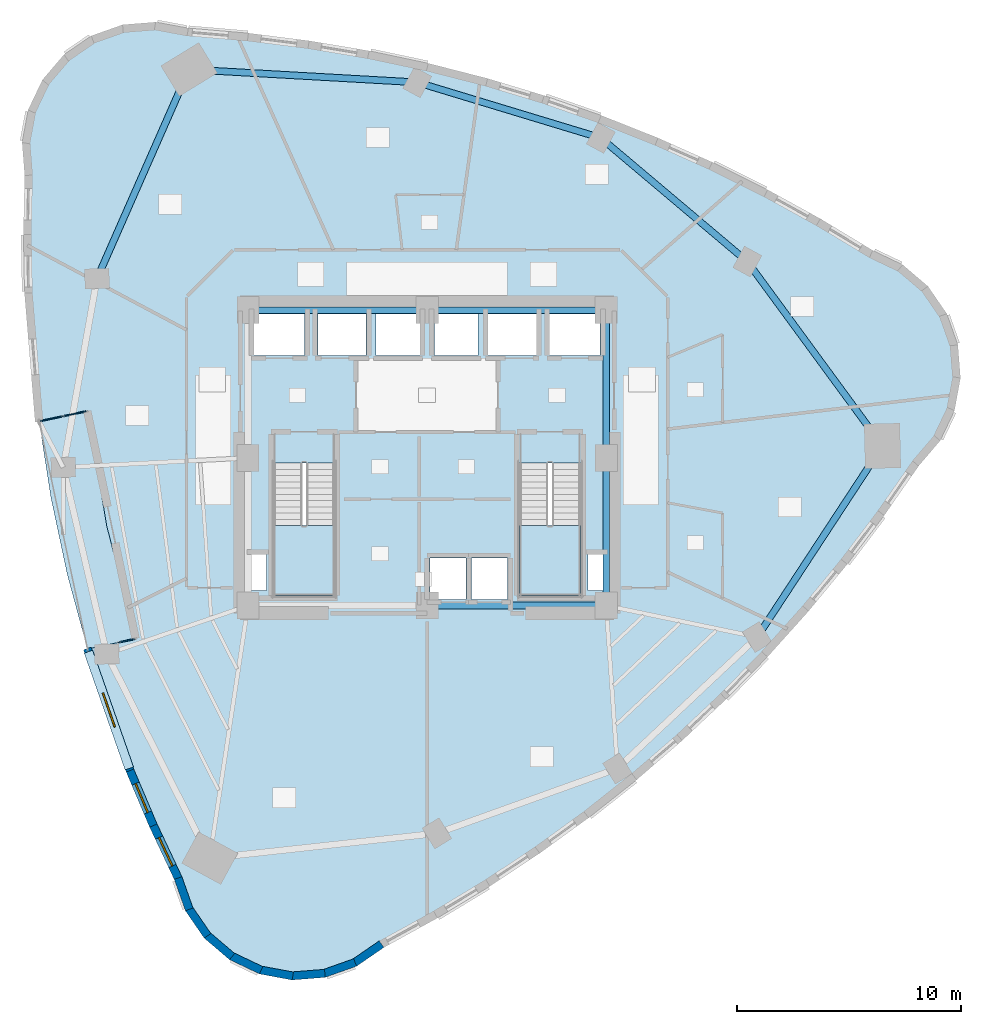
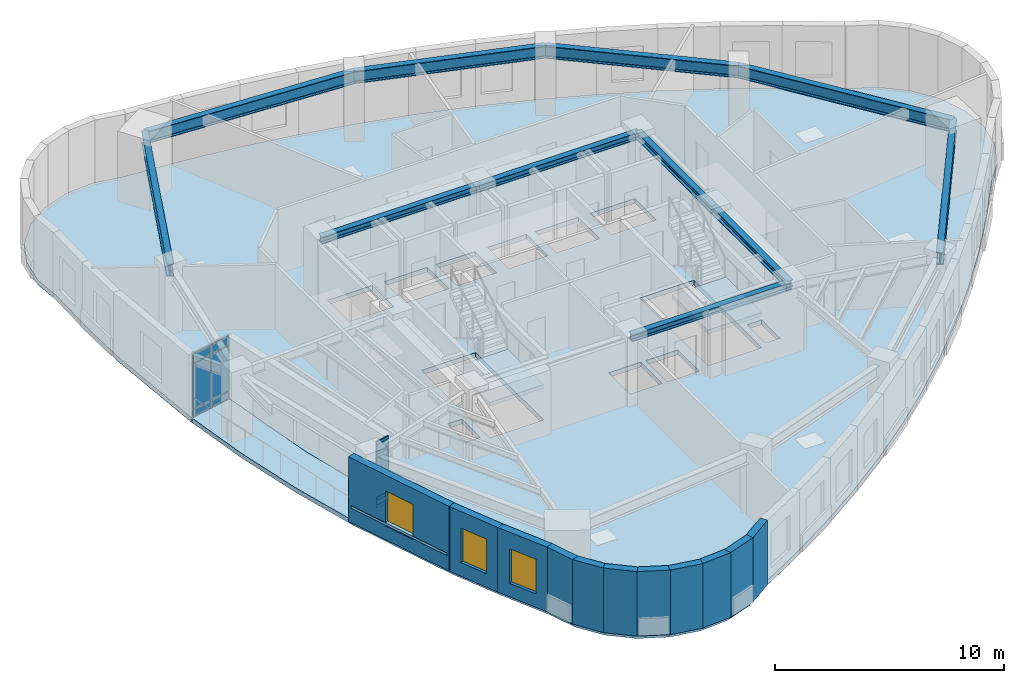
# One storey, part 5 of 12: 11 beams, 11 walls, 10 plates, 4 members, 4 slabs, 3 windows, 3 openings, 4 elements without a shape of their own.
"""IFC4 building model written with IfcOpenShell, lengths in metres."""

from ifc_helpers import new_model, si_unit, direction, frame, frame_2d, origin, origin_2d, place, context, subcontext, project, spatial, polyline, rectangle, hollow_rectangle, i_section, outline, extrude, material, layer, layer_set, material_profile, profile_set, type_object, element, fill, aggregate, save


model = new_model("IFC4")

# Units and contexts
model_context = context("Model", 3, precision=1e-05, world=origin(), true_north=direction((0.0, 1.0)))
body_context = subcontext(model_context, "Body", "Model", "MODEL_VIEW")
ifc_project = project(units=[si_unit("LENGTHUNIT", "METRE"), si_unit("AREAUNIT", "SQUARE_METRE"), si_unit("VOLUMEUNIT", "CUBIC_METRE"), si_unit("PLANEANGLEUNIT", "RADIAN"), si_unit("MASSUNIT", "GRAM", prefix="KILO")], contexts=[model_context])

# Site, building, storey
site_placement = place(None, origin())
site = spatial("IfcSite", under=ifc_project, at=site_placement, CompositionType="ELEMENT")
building_placement = place(site_placement, origin())
building = spatial("IfcBuilding", under=site, at=building_placement, Name="Ndelora Gate Hotel", CompositionType="ELEMENT")
storey_placement = place(building_placement, frame((0.0, 0.0, 164.75)))
storey = spatial("IfcBuildingStorey", under=building, at=storey_placement, Name="L41", CompositionType="ELEMENT", Elevation=164.75)

# Beams
ifc_material_1 = material(Name="Steel S355", Category="steel")
ifc_material_profile_1 = material_profile(ifc_material_1, i_section(OverallWidth=0.300048828125, OverallDepth=0.360107421875, WebThickness=0.012451171875, FlangeThickness=0.0224609375, FilletRadius=0.027099609375, at=origin_2d()), Name="HEB 360")
ifc_profile_set_1 = profile_set([ifc_material_profile_1], Name="Steel S355")
beam_type_1 = type_object("IfcBeamType", Name="BM-CORE-360", PredefinedType="BEAM", material=ifc_profile_set_1)
for number, where, z_axis, x_axis, name in (
    (1, (-8.0, 6.60009765625, 3.260009765625), (1.0, 0.0, 0.0), (0.0, 1.0, 0.0), "L41 Core Tie Girder CC7-CC6"),
    (2, (0.0, 6.60009765625, 3.260009765625), (1.0, 0.0, 0.0), (0.0, 1.0, 0.0), "L41 Core Tie Girder CC6-CC5"),
):
    element("IfcBeam", number, at=place(storey_placement, frame(where, z_axis=z_axis, x_axis=x_axis)), inside=storey, type_object=beam_type_1, Name=name, PredefinedType="BEAM", context=body_context, shape_type="SweptSolid", body=[
        extrude(i_section(OverallWidth=0.300048828125, OverallDepth=0.360107421875, WebThickness=0.012451171875, FlangeThickness=0.0224609375, FilletRadius=0.027099609375, at=origin_2d()), origin(), (0.0, 0.0, 1.0), 8.0),
    ])
for number, where, z_axis, x_axis, name in (
    (3, (8.0, -6.60009765625, 3.260009765625), (0.0, 1.0, 0.0), (-1.0, 0.0, 0.0), "L41 Core Tie Girder CC3-CC4"),
    (4, (8.0, 0.0, 3.260009765625), (0.0, 1.0, 0.0), (-1.0, 0.0, 0.0), "L41 Core Tie Girder CC4-CC5"),
):
    element("IfcBeam", number, at=place(storey_placement, frame(where, z_axis=z_axis, x_axis=x_axis)), inside=storey, type_object=beam_type_1, Name=name, PredefinedType="BEAM", context=body_context, shape_type="SweptSolid", body=[
        extrude(i_section(OverallWidth=0.300048828125, OverallDepth=0.360107421875, WebThickness=0.012451171875, FlangeThickness=0.0224609375, FilletRadius=0.027099609375, at=origin_2d()), origin(), (0.0, 0.0, 1.0), 6.60009765625),
    ])
beam_1_placement = place(storey_placement, frame((0.0, -6.60009765625, 3.260009765625), z_axis=(1.0, 0.0, 0.0), x_axis=(0.0, 1.0, 0.0)))
element("IfcBeam", 5, at=beam_1_placement, inside=storey, type_object=beam_type_1, Name="L41 Core Tie Girder CC2-CC3", PredefinedType="BEAM", context=body_context, shape_type="SweptSolid", body=[
    extrude(i_section(OverallWidth=0.300048828125, OverallDepth=0.360107421875, WebThickness=0.012451171875, FlangeThickness=0.0224609375, FilletRadius=0.027099609375, at=origin_2d()), origin(), (0.0, 0.0, 1.0), 8.0),
])
ifc_material_profile_2 = material_profile(ifc_material_1, i_section(OverallWidth=0.300048828125, OverallDepth=0.64990234375, WebThickness=0.01611328125, FlangeThickness=0.031005859375, FilletRadius=0.027099609375, at=origin_2d()), Name="HEB 650")
ifc_profile_set_2 = profile_set([ifc_material_profile_2], Name="Steel S355")
beam_type_2 = type_object("IfcBeamType", Name="BM-RING-650", PredefinedType="SPANDREL", material=ifc_profile_set_2)
beam_2_placement = place(storey_placement, frame((-10.63330078125, 17.351806640625, 3.114990234375), z_axis=(-0.402852396707, -0.915264959707, 0.0), x_axis=(0.915264959707, -0.402852396707, 0.0)))
element("IfcBeam", 6, at=beam_2_placement, inside=storey, type_object=beam_type_2, Name="L41 Perimeter Spandrel Girder 1", PredefinedType="SPANDREL", context=body_context, shape_type="SweptSolid", body=[
    extrude(i_section(OverallWidth=0.300048828125, OverallDepth=0.64990234375, WebThickness=0.01611328125, FlangeThickness=0.031005859375, FilletRadius=0.027099609375, at=origin_2d()), origin(), (0.0, 0.0, 1.0), 10.21044921875),
])
for number, where, z_axis, x_axis, name in (
    (7, (14.74658203125, -8.006591796875, 3.114990234375), (0.548194123818, 0.836351123998, 0.0), (-0.836351123998, 0.548194123818, 0.0), "L41 Perimeter Spandrel Girder 8"),
    (8, (20.34375, 0.53271484375, 3.114990234375), (-0.591229932094, 0.806503048597, 0.0), (-0.806503048597, -0.591229932094, 0.0), "L41 Perimeter Spandrel Girder 9"),
):
    element("IfcBeam", number, at=place(storey_placement, frame(where, z_axis=z_axis, x_axis=x_axis)), inside=storey, type_object=beam_type_2, Name=name, PredefinedType="SPANDREL", context=body_context, shape_type="SweptSolid", body=[
        extrude(i_section(OverallWidth=0.300048828125, OverallDepth=0.64990234375, WebThickness=0.01611328125, FlangeThickness=0.031005859375, FilletRadius=0.027099609375, at=origin_2d()), origin(), (0.0, 0.0, 1.0), 10.210205078125),
    ])
beam_3_placement = place(storey_placement, frame((14.30712890625, 8.767333984375, 3.114990234375), z_axis=(-0.76440691948, 0.644734101356, 0.0), x_axis=(-0.644734101356, -0.76440691948, 0.0)))
element("IfcBeam", 9, at=beam_3_placement, inside=storey, type_object=beam_type_2, Name="L41 Perimeter Spandrel Girder 10", PredefinedType="SPANDREL", context=body_context, shape_type="SweptSolid", body=[
    extrude(i_section(OverallWidth=0.300048828125, OverallDepth=0.64990234375, WebThickness=0.01611328125, FlangeThickness=0.031005859375, FilletRadius=0.027099609375, at=origin_2d()), origin(), (0.0, 0.0, 1.0), 8.566162109375),
])
beam_4_placement = place(storey_placement, frame((7.759033203125, 14.290283203125, 3.114990234375), z_axis=(-0.957030396662, 0.289987620192, 0.0), x_axis=(-0.289987620192, -0.957030396662, 0.0)))
element("IfcBeam", 10, at=beam_4_placement, inside=storey, type_object=beam_type_2, Name="L41 Perimeter Spandrel Girder 11", PredefinedType="SPANDREL", context=body_context, shape_type="SweptSolid", body=[
    extrude(i_section(OverallWidth=0.300048828125, OverallDepth=0.64990234375, WebThickness=0.01611328125, FlangeThickness=0.031005859375, FilletRadius=0.027099609375, at=origin_2d()), origin(), (0.0, 0.0, 1.0), 8.56640625),
])
beam_5_placement = place(storey_placement, frame((-0.439208984375, 16.7744140625, 3.114990234375), z_axis=(-0.998399808671, 0.056549288648, 0.0), x_axis=(-0.056549288648, -0.998399808671, 0.0)))
element("IfcBeam", 11, at=beam_5_placement, inside=storey, type_object=beam_type_2, Name="L41 Perimeter Spandrel Girder 12", PredefinedType="SPANDREL", context=body_context, shape_type="SweptSolid", body=[
    extrude(i_section(OverallWidth=0.300048828125, OverallDepth=0.64990234375, WebThickness=0.01611328125, FlangeThickness=0.031005859375, FilletRadius=0.027099609375, at=origin_2d()), origin(), (0.0, 0.0, 1.0), 10.21044921875),
])

# Curtain wall, members
ifc_material_2 = material(Name="Bronze Anodised Unitised Aluminium and Low-E Glass", Category="aluminium")
ifc_layer_1 = layer(ifc_material_2, 0.199951171875)
ifc_layer_set_1 = layer_set([ifc_layer_1], Name="Bronze Anodised Unitised Aluminium and Low-E Glass")
curtain_wall_type = type_object("IfcCurtainWallType", Name="CW-SYS-3", PredefinedType="NOTDEFINED", material=ifc_layer_set_1)
curtain_wall_1_placement = place(storey_placement, origin())
curtain_wall_1 = element("IfcCurtainWall", 12, at=curtain_wall_1_placement, inside=storey, type_object=curtain_wall_type, Name="L41 Sky-Garden Loggia Side Curtain Wall CW3-2", PredefinedType="NOTDEFINED")
ifc_material_3 = material(Name="Bronze Anodised Aluminium 6063-T6", Category="aluminium")
ifc_material_profile_3 = material_profile(ifc_material_3, hollow_rectangle(XDim=0.06494140625, YDim=0.159912109375, WallThickness=0.00390625, InnerFilletRadius=0.00390625, OuterFilletRadius=0.008056640625, at=origin_2d()), Name="ALU 160x65x4")
ifc_profile_set_3 = profile_set([ifc_material_profile_3], Name="Bronze Anodised Aluminium 6063-T6")
member_type = type_object("IfcMemberType", Name="MB-CW-TRN150", PredefinedType="USERDEFINED", material=ifc_profile_set_3)
member_1_placement = place(storey_placement, frame((-13.748779296875, -8.238525390625, 0.032470703125), z_axis=(0.978129020881, 0.207999082957, 0.0), x_axis=(-0.207999082957, 0.978129020881, 0.0)))
member_1 = element("IfcMember", 13, at=member_1_placement, type_object=member_type, Name="CW3 transom 1.1", ObjectType="TRANSOM", PredefinedType="USERDEFINED", context=body_context, shape_type="SweptSolid", body=[
    extrude(hollow_rectangle(XDim=0.06494140625, YDim=0.159912109375, WallThickness=0.00390625, InnerFilletRadius=0.00390625, OuterFilletRadius=0.008056640625, at=origin_2d()), origin(), (0.0, 0.0, 1.0), 0.686767578125),
])
member_2_placement = place(storey_placement, frame((-13.748779296875, -8.238525390625, 0.449951171875), z_axis=(0.978129020881, 0.207999082957, 0.0), x_axis=(-0.207999082957, 0.978129020881, 0.0)))
member_2 = element("IfcMember", 14, at=member_2_placement, type_object=member_type, Name="CW3 transom 1.2", ObjectType="TRANSOM", PredefinedType="USERDEFINED", context=body_context, shape_type="SweptSolid", body=[
    extrude(hollow_rectangle(XDim=0.06494140625, YDim=0.159912109375, WallThickness=0.00390625, InnerFilletRadius=0.00390625, OuterFilletRadius=0.008056640625, at=origin_2d()), origin(), (0.0, 0.0, 1.0), 0.686767578125),
])
member_3_placement = place(storey_placement, frame((-13.748779296875, -8.238525390625, 2.889892578125), z_axis=(0.978129020881, 0.207999082957, 0.0), x_axis=(-0.207999082957, 0.978129020881, 0.0)))
member_3 = element("IfcMember", 15, at=member_3_placement, type_object=member_type, Name="CW3 transom 1.3", ObjectType="TRANSOM", PredefinedType="USERDEFINED", context=body_context, shape_type="SweptSolid", body=[
    extrude(hollow_rectangle(XDim=0.06494140625, YDim=0.159912109375, WallThickness=0.00390625, InnerFilletRadius=0.00390625, OuterFilletRadius=0.008056640625, at=origin_2d()), origin(), (0.0, 0.0, 1.0), 0.686767578125),
])
member_4_placement = place(storey_placement, frame((-13.748779296875, -8.238525390625, 3.407470703125), z_axis=(0.978129020881, 0.207999082957, 0.0), x_axis=(-0.207999082957, 0.978129020881, 0.0)))
member_4 = element("IfcMember", 16, at=member_4_placement, type_object=member_type, Name="CW3 transom 1.4", ObjectType="TRANSOM", PredefinedType="USERDEFINED", context=body_context, shape_type="SweptSolid", body=[
    extrude(hollow_rectangle(XDim=0.06494140625, YDim=0.159912109375, WallThickness=0.00390625, InnerFilletRadius=0.00390625, OuterFilletRadius=0.008056640625, at=origin_2d()), origin(), (0.0, 0.0, 1.0), 0.686767578125),
])

# Curtain wall, plates
curtain_wall_2_placement = place(storey_placement, origin())
curtain_wall_2 = element("IfcCurtainWall", 17, at=curtain_wall_2_placement, inside=storey, type_object=curtain_wall_type, Name="L41 Sky-Garden Loggia Side Curtain Wall CW3-1", PredefinedType="NOTDEFINED")
ifc_material_4 = material(Name="Solar-Control Low-E Insulated Glazing", Category="glass")
ifc_layer_2 = layer(ifc_material_4, 0.048095703125)
ifc_layer_set_2 = layer_set([ifc_layer_2], Name="Solar-Control Low-E Insulated Glazing")
plate_type_1 = type_object("IfcPlateType", Name="PL-CW-GLZ36", PredefinedType="CURTAIN_PANEL", material=ifc_layer_set_2)
plate_1_placement = place(storey_placement, frame((-15.735595703125, 1.971435546875, 0.05908203125), z_axis=(0.0, 0.0, 1.0), x_axis=(-0.978149608487, -0.20790224486, 0.0)))
plate_1 = element("IfcPlate", 18, at=plate_1_placement, type_object=plate_type_1, Name="CW3 panel 1.1", PredefinedType="CURTAIN_PANEL", context=body_context, shape_type="SweptSolid", body=[
    extrude(rectangle(XDim=1.0146484375, YDim=0.048095703125, at=origin_2d()), origin(), (0.0, 0.0, 1.0), 0.364501953125),
])
plate_2_placement = place(storey_placement, frame((-15.735595703125, 1.971435546875, 0.4765625), z_axis=(0.0, 0.0, 1.0), x_axis=(-0.978149608487, -0.20790224486, 0.0)))
plate_2 = element("IfcPlate", 19, at=plate_2_placement, type_object=plate_type_1, Name="CW3 panel 1.2", PredefinedType="CURTAIN_PANEL", context=body_context, shape_type="SweptSolid", body=[
    extrude(rectangle(XDim=1.0146484375, YDim=0.048095703125, at=origin_2d()), origin(), (0.0, 0.0, 1.0), 2.386962890625),
])
plate_3_placement = place(storey_placement, frame((-15.735595703125, 1.971435546875, 2.91650390625), z_axis=(0.0, 0.0, 1.0), x_axis=(-0.978149608487, -0.20790224486, 0.0)))
plate_3 = element("IfcPlate", 20, at=plate_3_placement, type_object=plate_type_1, Name="CW3 panel 1.3", PredefinedType="CURTAIN_PANEL", context=body_context, shape_type="SweptSolid", body=[
    extrude(rectangle(XDim=1.0146484375, YDim=0.048095703125, at=origin_2d()), origin(), (0.0, 0.0, 1.0), 0.464599609375),
])
plate_4_placement = place(storey_placement, frame((-16.77978515625, 1.74951171875, 0.05908203125), z_axis=(0.0, 0.0, 1.0), x_axis=(-0.978149608487, -0.20790224486, 0.0)))
plate_4 = element("IfcPlate", 21, at=plate_4_placement, type_object=plate_type_1, Name="CW3 panel 2.1", PredefinedType="CURTAIN_PANEL", context=body_context, shape_type="SweptSolid", body=[
    extrude(rectangle(XDim=1.0146484375, YDim=0.048095703125, at=origin_2d()), origin(), (0.0, 0.0, 1.0), 0.364501953125),
])
plate_5_placement = place(storey_placement, frame((-16.77978515625, 1.74951171875, 0.4765625), z_axis=(0.0, 0.0, 1.0), x_axis=(-0.978149608487, -0.20790224486, 0.0)))
plate_5 = element("IfcPlate", 22, at=plate_5_placement, type_object=plate_type_1, Name="CW3 panel 2.2", PredefinedType="CURTAIN_PANEL", context=body_context, shape_type="SweptSolid", body=[
    extrude(rectangle(XDim=1.0146484375, YDim=0.048095703125, at=origin_2d()), origin(), (0.0, 0.0, 1.0), 2.386962890625),
])
plate_6_placement = place(storey_placement, frame((-16.77978515625, 1.74951171875, 2.91650390625), z_axis=(0.0, 0.0, 1.0), x_axis=(-0.978149608487, -0.20790224486, 0.0)))
plate_6 = element("IfcPlate", 23, at=plate_6_placement, type_object=plate_type_1, Name="CW3 panel 2.3", PredefinedType="CURTAIN_PANEL", context=body_context, shape_type="SweptSolid", body=[
    extrude(rectangle(XDim=1.0146484375, YDim=0.048095703125, at=origin_2d()), origin(), (0.0, 0.0, 1.0), 0.464599609375),
])
aggregate(curtain_wall_2, [plate_1, plate_2, plate_3, plate_4, plate_5, plate_6])

# Plate
plate_7_placement = place(storey_placement, frame((-13.4130859375, -8.167236328125, 0.05908203125), z_axis=(0.0, 0.0, 1.0), x_axis=(0.978148427078, 0.207907803136, 0.0)))
plate_7 = element("IfcPlate", 24, at=plate_7_placement, type_object=plate_type_1, Name="CW3 panel 1.1", PredefinedType="CURTAIN_PANEL", context=body_context, shape_type="SweptSolid", body=[
    extrude(rectangle(XDim=0.686767578125, YDim=0.048095703125, at=origin_2d()), origin(), (0.0, 0.0, 1.0), 0.364501953125),
])

plate_8_placement = place(storey_placement, frame((-13.4130859375, -8.167236328125, 0.4765625), z_axis=(0.0, 0.0, 1.0), x_axis=(0.978148427078, 0.207907803136, 0.0)))
plate_8 = element("IfcPlate", 25, at=plate_8_placement, type_object=plate_type_1, Name="CW3 panel 1.2", PredefinedType="CURTAIN_PANEL", context=body_context, shape_type="SweptSolid", body=[
    extrude(rectangle(XDim=0.686767578125, YDim=0.048095703125, at=origin_2d()), origin(), (0.0, 0.0, 1.0), 2.386962890625),
])

plate_9_placement = place(storey_placement, frame((-13.4130859375, -8.167236328125, 2.91650390625), z_axis=(0.0, 0.0, 1.0), x_axis=(0.978148427078, 0.207907803136, 0.0)))
plate_9 = element("IfcPlate", 26, at=plate_9_placement, type_object=plate_type_1, Name="CW3 panel 1.3", PredefinedType="CURTAIN_PANEL", context=body_context, shape_type="SweptSolid", body=[
    extrude(rectangle(XDim=0.686767578125, YDim=0.048095703125, at=origin_2d()), origin(), (0.0, 0.0, 1.0), 0.464599609375),
])

aggregate(curtain_wall_1, [member_1, member_2, member_3, member_4, plate_7, plate_8, plate_9])

ifc_material_5 = material(Name="Precast concrete C40/50", Category="concrete")
ifc_layer_3 = layer(ifc_material_5, 0.125)
ifc_layer_set_3 = layer_set([ifc_layer_3], Name="Precast concrete C40/50")
plate_type_2 = type_object("IfcPlateType", Name="PL-SILL-120", PredefinedType="USERDEFINED", material=ifc_layer_set_3)
plate_10_placement = place(storey_placement, frame((-14.217041015625, -11.26708984375, 0.78759765625), z_axis=(0.0, 0.0, 1.0), x_axis=(-0.330349663339, 0.943858622852, 0.0)))
element("IfcPlate", 27, at=plate_10_placement, inside=storey, type_object=plate_type_2, Name="L41 Streamline Precast Ribbon Sill 16", ObjectType="RIBBON_SILL", PredefinedType="USERDEFINED", context=body_context, shape_type="SweptSolid", body=[
    extrude(rectangle(XDim=5.527099609375, YDim=0.39990234375, at=origin_2d()), origin(), (0.0, 0.0, 1.0), 0.125),
])

# Stair, slab
stair_type = type_object("IfcStairType", Name="STR-DOG-CORE", PredefinedType="HALF_TURN_STAIR", material=ifc_material_5)
stair_1_placement = place(storey_placement, origin())
stair_1 = element("IfcStair", 28, at=stair_1_placement, inside=storey, type_object=stair_type, Name="L41 Protected Core Exit Stair ST4", PredefinedType="HALF_TURN_STAIR")
ifc_layer_4 = layer(ifc_material_5, 0.219970703125)
ifc_layer_set_4 = layer_set([ifc_layer_4], Name="Precast concrete C40/50")
slab_type_1 = type_object("IfcSlabType", Name="SL-LAND-220", PredefinedType="LANDING", material=ifc_layer_set_4)
slab_1_placement = place(storey_placement, frame((0.0, 0.0, 1.675048828125)))
slab_1 = element("IfcSlab", 29, at=slab_1_placement, type_object=slab_type_1, Name="ST4 landing 1", PredefinedType="LANDING", context=body_context, shape_type="SweptSolid", body=[
    extrude(outline(polyline([(-6.85009765625, -3.030029296875), (-6.85009765625, -6.14990234375), (-4.1298828125, -6.14990234375), (-4.1298828125, -3.030029296875), (-6.85009765625, -3.030029296875)])), origin(), (0.0, 0.0, 1.0), 0.199951171875),
])
aggregate(stair_1, [slab_1])

stair_2_placement = place(storey_placement, origin())
stair_2 = element("IfcStair", 30, at=stair_2_placement, inside=storey, type_object=stair_type, Name="L41 Protected Core Exit Stair ST5", PredefinedType="HALF_TURN_STAIR")
slab_2_placement = place(storey_placement, frame((0.0, 0.0, 1.675048828125)))
slab_2 = element("IfcSlab", 31, at=slab_2_placement, type_object=slab_type_1, Name="ST5 landing 1", PredefinedType="LANDING", context=body_context, shape_type="SweptSolid", body=[
    extrude(outline(polyline([(4.1298828125, -3.030029296875), (4.1298828125, -6.14990234375), (6.85009765625, -6.14990234375), (6.85009765625, -3.030029296875), (4.1298828125, -3.030029296875)])), origin(), (0.0, 0.0, 1.0), 0.199951171875),
])
aggregate(stair_2, [slab_2])

# Slabs
ifc_layer_5 = layer(ifc_material_5, 0.239990234375)
ifc_layer_set_5 = layer_set([ifc_layer_5], Name="Precast concrete C40/50")
slab_type_2 = type_object("IfcSlabType", Name="SL-TER-240", PredefinedType="FLOOR", material=ifc_layer_set_5)
slab_3_placement = place(storey_placement, frame((0.0, 0.0, -0.239990234375)))
element("IfcSlab", 32, at=slab_3_placement, inside=storey, type_object=slab_type_2, Name="L41 Sky Garden Loggia Terrace Slab", PredefinedType="FLOOR", context=body_context, shape_type="SweptSolid", body=[
    extrude(outline(polyline([(-15.181640625, 2.089111328125), (-17.333740234375, 1.6318359375), (-16.8056640625, -1.7646484375), (-16.070556640625, -5.223388671875), (-15.17138671875, -8.541015625), (-13.01953125, -8.08349609375), (-14.310546875, -3.041748046875), (-15.181640625, 2.089111328125)])), origin(), (0.0, 0.0, 1.0), 0.239990234375),
])
ifc_material_6 = material(Name="Concrete C40/50", Category="concrete")
ifc_layer_6 = layer(ifc_material_6, 0.25)
ifc_layer_set_6 = layer_set([ifc_layer_6], Name="Concrete C40/50")
slab_type_3 = type_object("IfcSlabType", Name="SL-TWR-250", PredefinedType="FLOOR", material=ifc_layer_set_6)
slab_4_placement = place(storey_placement, frame((0.0, 0.0, -0.25)))
element("IfcSlab", 33, at=slab_4_placement, inside=storey, type_object=slab_type_3, Name="L41 Structural Floor Slab", PredefinedType="FLOOR", context=body_context, shape_type="SweptSolid", body=[
    extrude(outline(polyline([(-10.7197265625, 19.023681640625), (-12.13134765625, 19.285400390625), (-13.562744140625, 19.1728515625), (-14.916259765625, 18.693603515625), (-16.099609375, 17.88037109375), (-17.031982421875, 16.78857421875), (-17.650146484375, 15.49267578125), (-17.91162109375, 14.080810546875), (-17.799072265625, 12.6494140625), (-17.854736328125, 10.00830078125), (-17.8076171875, 7.38916015625), (-17.333740234375, 1.6318359375), (-15.181640625, 2.089111328125), (-14.310546875, -3.041748046875), (-13.01953125, -8.08349609375), (-15.17138671875, -8.541015625), (-13.2626953125, -13.993408203125), (-12.240234375, -16.4052734375), (-11.115234375, -18.79541015625), (-10.635986328125, -20.14892578125), (-9.82275390625, -21.33203125), (-8.73095703125, -22.2646484375), (-7.43505859375, -22.8828125), (-6.023193359375, -23.144287109375), (-4.591796875, -23.03173828125), (-3.238525390625, -22.552490234375), (-2.05517578125, -21.7392578125), (0.354736328125, -20.412109375), (2.6884765625, -19.00048828125), (4.946044921875, -17.504150390625), (7.12744140625, -15.923095703125), (9.232666015625, -14.257568359375), (11.26171875, -12.50732421875), (13.21435546875, -10.67236328125), (15.0908203125, -8.752685546875), (16.89111328125, -6.748779296875), (18.615234375, -4.659912109375), (20.26318359375, -2.486572265625), (21.8349609375, -0.228515625), (22.767333984375, 0.86328125), (23.385498046875, 2.1591796875), (23.647216796875, 3.571044921875), (23.53466796875, 5.00244140625), (23.055419921875, 6.35595703125), (22.241943359375, 7.5390625), (21.150390625, 8.4716796875), (19.854248046875, 9.089599609375), (17.5, 10.51318359375), (15.110595703125, 11.82861328125), (12.685791015625, 13.035400390625), (10.22607421875, 14.134033203125), (7.73095703125, 15.12451171875), (5.20068359375, 16.00634765625), (2.635498046875, 16.780029296875), (0.03466796875, 17.445556640625), (-2.60107421875, 18.00244140625), (-5.272216796875, 18.451416015625), (-7.978271484375, 18.791748046875), (-10.7197265625, 19.023681640625)]), holes=[polyline([(-6.85009765625, -0.22998046875), (-6.85009765625, -6.14990234375), (-4.1298828125, -6.14990234375), (-4.1298828125, -0.22998046875), (-6.85009765625, -0.22998046875)]), polyline([(4.1298828125, -0.22998046875), (4.1298828125, -6.14990234375), (6.85009765625, -6.14990234375), (6.85009765625, -0.22998046875), (4.1298828125, -0.22998046875)]), polyline([(-7.72998046875, 4.570068359375), (-5.469970703125, 4.570068359375), (-5.469970703125, 6.429931640625), (-7.72998046875, 6.429931640625), (-7.72998046875, 4.570068359375)]), polyline([(5.469970703125, 4.570068359375), (7.72998046875, 4.570068359375), (7.72998046875, 6.429931640625), (5.469970703125, 6.429931640625), (5.469970703125, 4.570068359375)]), polyline([(-4.8798828125, 4.570068359375), (-2.719970703125, 4.570068359375), (-2.719970703125, 6.429931640625), (-4.8798828125, 6.429931640625), (-4.8798828125, 4.570068359375)]), polyline([(2.719970703125, 4.570068359375), (4.8798828125, 4.570068359375), (4.8798828125, 6.429931640625), (2.719970703125, 6.429931640625), (2.719970703125, 4.570068359375)]), polyline([(0.1201171875, -6.330078125), (1.739990234375, -6.330078125), (1.739990234375, -4.469970703125), (0.1201171875, -4.469970703125), (0.1201171875, -6.330078125)]), polyline([(1.97998046875, -6.330078125), (3.60009765625, -6.330078125), (3.60009765625, -4.469970703125), (1.97998046875, -4.469970703125), (1.97998046875, -6.330078125)]), polyline([(-2.280029296875, 4.570068359375), (-0.320068359375, 4.570068359375), (-0.320068359375, 6.429931640625), (-2.280029296875, 6.429931640625), (-2.280029296875, 4.570068359375)]), polyline([(0.320068359375, 4.570068359375), (2.280029296875, 4.570068359375), (2.280029296875, 6.429931640625), (0.320068359375, 6.429931640625), (0.320068359375, 4.570068359375)]), polyline([(-7.89990234375, -5.919921875), (-7.179931640625, -5.919921875), (-7.179931640625, -4.320068359375), (-7.89990234375, -4.320068359375), (-7.89990234375, -5.919921875)]), polyline([(7.179931640625, -5.919921875), (7.89990234375, -5.919921875), (7.89990234375, -4.320068359375), (7.179931640625, -4.320068359375), (7.179931640625, -5.919921875)])]), origin(), (0.0, 0.0, 1.0), 0.25),
])

# Wall, opening, window
ifc_material_7 = material(Name="Clay Brick Masonry", Category="masonry")
ifc_layer_7 = layer(ifc_material_7, 0.360107421875)
ifc_layer_set_7 = layer_set([ifc_layer_7], Name="Clay Brick Masonry")
wall_type = type_object("IfcWallType", Name="WL-BRICK-360", PredefinedType="SOLIDWALL", material=ifc_layer_set_7)
wall_1_placement = place(storey_placement, frame((-13.25439453125, -14.01708984375, 0.0), z_axis=(0.0, 0.0, 1.0), x_axis=(-0.330408278921, 0.943838105408, 0.0)))
wall_1 = element("IfcWall", 34, at=wall_1_placement, inside=storey, type_object=wall_type, Name="L41 Tower Brick Pier-and-Spandrel Wall TWR-16", PredefinedType="SOLIDWALL", context=body_context, shape_type="SweptSolid", body=[
    extrude(rectangle(XDim=5.826904296875, YDim=0.360107421875, at=frame_2d((2.91357421875, 0.0))), origin(), (0.0, 0.0, 1.0), 3.43994140625),
])
opening_1_placement = place(wall_1_placement, frame((2.113525390625, 0.0, 0.719970703125)))
opening_1 = element("IfcOpeningElement", 35, at=opening_1_placement, cuts=wall_1, Name="Opening W01", PredefinedType="OPENING", context=body_context, shape_type="SweptSolid", body=[
    extrude(rectangle(XDim=1.60009765625, YDim=1.8798828125, at=frame_2d((0.800048828125, 0.93994140625))), frame((0.0, 0.18994140625, 0.0), z_axis=(0.0, -1.0, 0.0), x_axis=(1.0, 0.0, 0.0)), (0.0, 0.0, 1.0), 0.380126953125),
])
ifc_material_8 = material(Name="Insulated Low-E Double Glazing in Bronze Aluminium Frame", Category="aluminium")
window_type_1 = type_object("IfcWindowType", Name="WN-DEEP-1600", PartitioningType="SINGLE_PANEL", PredefinedType="WINDOW", material=ifc_material_8)
window_1_placement = place(opening_1_placement, origin())
window_1 = element("IfcWindow", 36, at=window_1_placement, inside=storey, type_object=window_type_1, Name="L41 Deep-Set Brick-Pier Window W01", OverallHeight=1.8798828125, OverallWidth=1.60009765625, PartitioningType="SINGLE_PANEL", PredefinedType="WINDOW", context=body_context, shape_type="SweptSolid", body=[
    extrude(rectangle(XDim=1.60009765625, YDim=1.8798828125, at=frame_2d((0.800048828125, 0.93994140625))), frame((0.0, 0.030029296875, 0.0), z_axis=(0.0, -1.0, 0.0), x_axis=(1.0, 0.0, 0.0)), (0.0, 0.0, 1.0), 0.06005859375),
])
fill(opening_1, window_1)

wall_2_placement = place(storey_placement, frame((-12.23046875, -16.42822265625, 0.0), z_axis=(0.0, 0.0, 1.0), x_axis=(-0.39032906304, 0.9206754165, 0.0)))
wall_2 = element("IfcWall", 37, at=wall_2_placement, inside=storey, type_object=wall_type, Name="L41 Tower Brick Pier-and-Spandrel Wall TWR-17", PredefinedType="SOLIDWALL", context=body_context, shape_type="SweptSolid", body=[
    extrude(rectangle(XDim=2.66943359375, YDim=0.360107421875, at=frame_2d((1.334716796875, 0.0))), origin(), (0.0, 0.0, 1.0), 3.43994140625),
])
opening_2_placement = place(wall_2_placement, frame((0.634765625, 0.0, 0.719970703125)))
opening_2 = element("IfcOpeningElement", 38, at=opening_2_placement, cuts=wall_2, Name="Opening W02", PredefinedType="OPENING", context=body_context, shape_type="SweptSolid", body=[
    extrude(rectangle(XDim=1.39990234375, YDim=1.840087890625, at=frame_2d((0.699951171875, 0.919921875))), frame((0.0, 0.18994140625, 0.0), z_axis=(0.0, -1.0, 0.0), x_axis=(1.0, 0.0, 0.0)), (0.0, 0.0, 1.0), 0.380126953125),
])
window_type_2 = type_object("IfcWindowType", Name="WN-DEEP-1400", PartitioningType="SINGLE_PANEL", PredefinedType="WINDOW", material=ifc_material_8)
window_2_placement = place(opening_2_placement, origin())
window_2 = element("IfcWindow", 39, at=window_2_placement, inside=storey, type_object=window_type_2, Name="L41 Deep-Set Brick-Pier Window W02", OverallHeight=1.840087890625, OverallWidth=1.39990234375, PartitioningType="SINGLE_PANEL", PredefinedType="WINDOW", context=body_context, shape_type="SweptSolid", body=[
    extrude(rectangle(XDim=1.39990234375, YDim=1.840087890625, at=frame_2d((0.699951171875, 0.919921875))), frame((0.0, 0.030029296875, 0.0), z_axis=(0.0, -1.0, 0.0), x_axis=(1.0, 0.0, 0.0)), (0.0, 0.0, 1.0), 0.06005859375),
])
fill(opening_2, window_2)

wall_3_placement = place(storey_placement, frame((-11.104736328125, -18.818115234375, 0.0), z_axis=(0.0, 0.0, 1.0), x_axis=(-0.425862559053, 0.90478786508, 0.0)))
wall_3 = element("IfcWall", 40, at=wall_3_placement, inside=storey, type_object=wall_type, Name="L41 Tower Brick Pier-and-Spandrel Wall TWR-18", PredefinedType="SOLIDWALL", context=body_context, shape_type="SweptSolid", body=[
    extrude(rectangle(XDim=2.691650390625, YDim=0.360107421875, at=frame_2d((1.345703125, 0.0))), origin(), (0.0, 0.0, 1.0), 3.43994140625),
])
opening_3_placement = place(wall_3_placement, frame((0.645751953125, 0.0, 0.719970703125)))
opening_3 = element("IfcOpeningElement", 41, at=opening_3_placement, cuts=wall_3, Name="Opening W02", PredefinedType="OPENING", context=body_context, shape_type="SweptSolid", body=[
    extrude(rectangle(XDim=1.39990234375, YDim=1.840087890625, at=frame_2d((0.699951171875, 0.919921875))), frame((0.0, 0.18994140625, 0.0), z_axis=(0.0, -1.0, 0.0), x_axis=(1.0, 0.0, 0.0)), (0.0, 0.0, 1.0), 0.380126953125),
])
window_3_placement = place(opening_3_placement, origin())
window_3 = element("IfcWindow", 42, at=window_3_placement, inside=storey, type_object=window_type_2, Name="L41 Deep-Set Brick-Pier Window W02", OverallHeight=1.840087890625, OverallWidth=1.39990234375, PartitioningType="SINGLE_PANEL", PredefinedType="WINDOW", context=body_context, shape_type="SweptSolid", body=[
    extrude(rectangle(XDim=1.39990234375, YDim=1.840087890625, at=frame_2d((0.699951171875, 0.919921875))), frame((0.0, 0.030029296875, 0.0), z_axis=(0.0, -1.0, 0.0), x_axis=(1.0, 0.0, 0.0)), (0.0, 0.0, 1.0), 0.06005859375),
])
fill(opening_3, window_3)

# Walls
wall_4_placement = place(storey_placement, frame((-10.627685546875, -20.172607421875, 0.0), z_axis=(0.0, 0.0, 1.0), x_axis=(-0.333670746008, 0.942689680254, 0.0)))
element("IfcWall", 43, at=wall_4_placement, inside=storey, type_object=wall_type, Name="L41 Tower Brick Pier-and-Spandrel Wall TWR-19", PredefinedType="SOLIDWALL", context=body_context, shape_type="SweptSolid", body=[
    extrude(rectangle(XDim=1.486083984375, YDim=0.360107421875, at=frame_2d((0.7431640625, 0.0))), origin(), (0.0, 0.0, 1.0), 3.43994140625),
])
wall_5_placement = place(storey_placement, frame((-9.80859375, -21.352783203125, 0.0), z_axis=(0.0, 0.0, 1.0), x_axis=(-0.566438155808, 0.824104250472, 0.0)))
element("IfcWall", 44, at=wall_5_placement, inside=storey, type_object=wall_type, Name="L41 Tower Brick Pier-and-Spandrel Wall TWR-20", PredefinedType="SOLIDWALL", context=body_context, shape_type="SweptSolid", body=[
    extrude(rectangle(XDim=1.485595703125, YDim=0.360107421875, at=frame_2d((0.74267578125, 0.0))), origin(), (0.0, 0.0, 1.0), 3.43994140625),
])
for number, where, z_axis, x_axis, name in (
    (45, (-8.7119140625, -22.28076171875, 0.0), (0.0, 0.0, 1.0), (-0.760461582144, 0.649382924078, 0.0), "L41 Tower Brick Pier-and-Spandrel Wall TWR-21"),
    (46, (-7.41259765625, -22.8935546875, 0.0), (0.0, 0.0, 1.0), (-0.902586982789, 0.430507535938, 0.0), "L41 Tower Brick Pier-and-Spandrel Wall TWR-22"),
    (47, (-5.998779296875, -23.14892578125, 0.0), (0.0, 0.0, 1.0), (-0.983256934468, 0.182224588958, 0.0), "L41 Tower Brick Pier-and-Spandrel Wall TWR-23"),
    (48, (-4.56689453125, -23.02978515625, 0.0), (0.0, 0.0, 1.0), (-0.996910688745, -0.078543482647, 0.0), "L41 Tower Brick Pier-and-Spandrel Wall TWR-24"),
    (49, (-3.21484375, -22.544189453125, 0.0), (0.0, 0.0, 1.0), (-0.942671384708, -0.33372243025, 0.0), "L41 Tower Brick Pier-and-Spandrel Wall TWR-25"),
):
    element("IfcWall", number, at=place(storey_placement, frame(where, z_axis=z_axis, x_axis=x_axis)), inside=storey, type_object=wall_type, Name=name, PredefinedType="SOLIDWALL", context=body_context, shape_type="SweptSolid", body=[
        extrude(rectangle(XDim=1.48583984375, YDim=0.360107421875, at=frame_2d((0.742919921875, 0.0))), origin(), (0.0, 0.0, 1.0), 3.43994140625),
    ])
wall_6_placement = place(storey_placement, frame((-2.03466796875, -21.72509765625, 0.0), z_axis=(0.0, 0.0, 1.0), x_axis=(-0.824104250472, -0.566438155808, 0.0)))
element("IfcWall", 50, at=wall_6_placement, inside=storey, type_object=wall_type, Name="L41 Tower Brick Pier-and-Spandrel Wall TWR-26", PredefinedType="SOLIDWALL", context=body_context, shape_type="SweptSolid", body=[
    extrude(rectangle(XDim=1.485595703125, YDim=0.360107421875, at=frame_2d((0.74267578125, 0.0))), origin(), (0.0, 0.0, 1.0), 3.43994140625),
])

save(model, "model.ifc")
